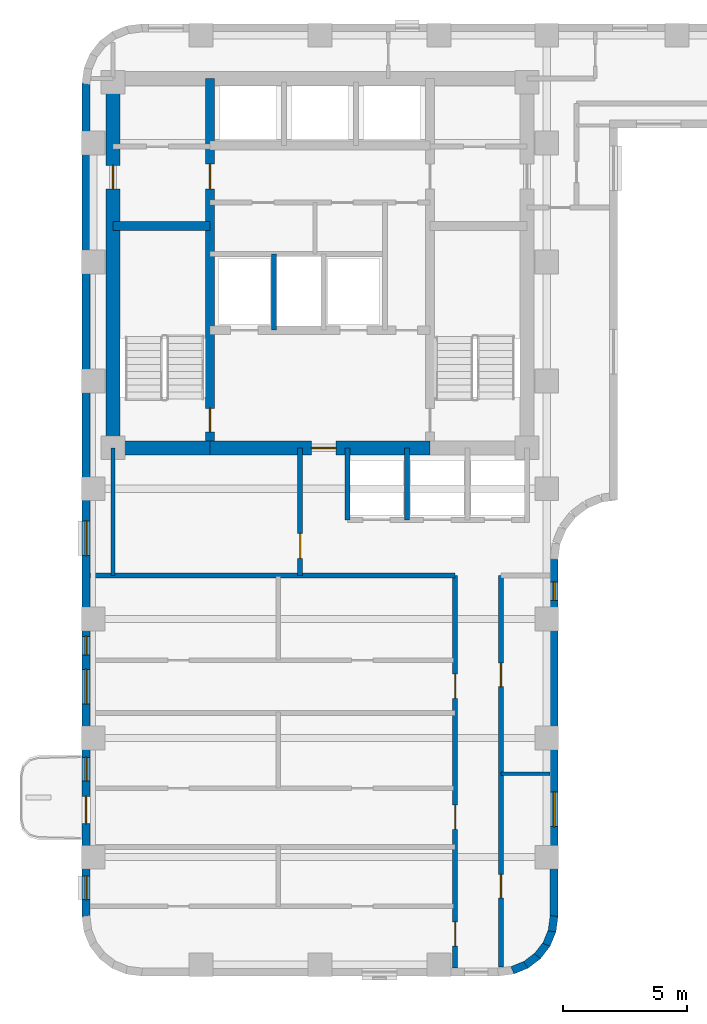
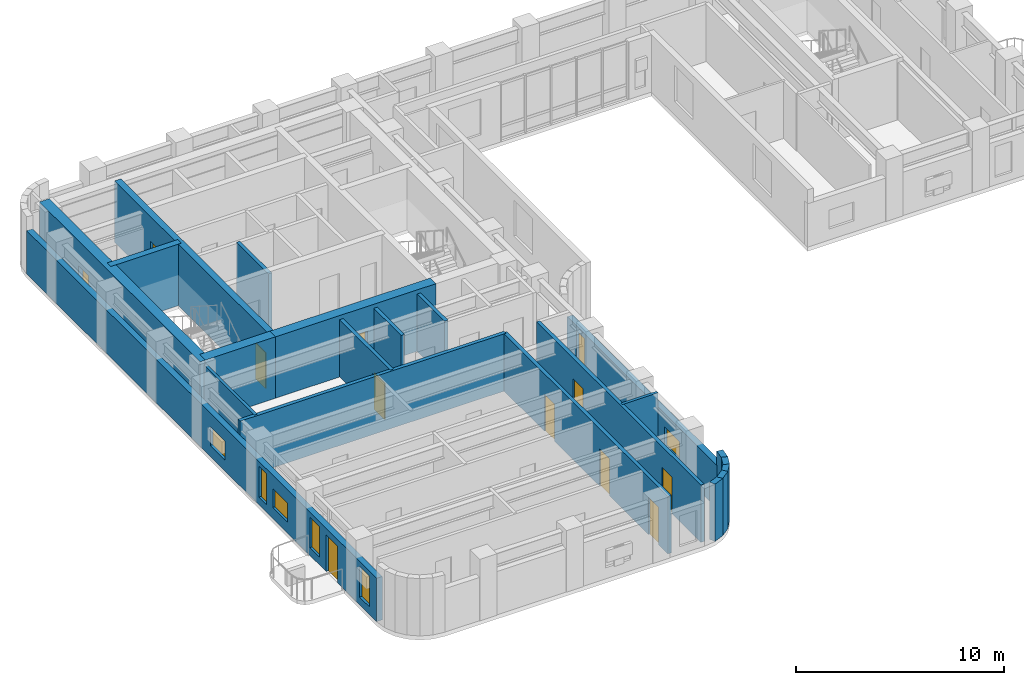
# One storey, part 4 of 11: 21 walls, 11 doors, 7 windows, 18 openings.
"""IFC4 building model written with IfcOpenShell, lengths in metres."""

from ifc_helpers import new_model, si_unit, direction, frame, frame_2d, origin, place, context, subcontext, project, spatial, rectangle, extrude, material, layer, layer_set, type_object, element, fill, save


model = new_model("IFC4")

# Units and contexts
model_context = context("Model", 3, precision=1e-05, world=origin(), true_north=direction((0.0, 1.0)))
body_context = subcontext(model_context, "Body", "Model", "MODEL_VIEW")
ifc_project = project(units=[si_unit("LENGTHUNIT", "METRE"), si_unit("AREAUNIT", "SQUARE_METRE"), si_unit("VOLUMEUNIT", "CUBIC_METRE"), si_unit("PLANEANGLEUNIT", "RADIAN"), si_unit("MASSUNIT", "GRAM", prefix="KILO")], contexts=[model_context])

# Site, building, storey
site_placement = place(None, origin())
site = spatial("IfcSite", under=ifc_project, at=site_placement, CompositionType="ELEMENT")
building_placement = place(site_placement, origin())
building = spatial("IfcBuilding", under=site, at=building_placement, Name="Orvandelia Arch Residences", CompositionType="ELEMENT")
storey_placement = place(building_placement, frame((0.0, 0.0, 157.60009765625)))
storey = spatial("IfcBuildingStorey", under=building, at=storey_placement, Name="L41", CompositionType="ELEMENT", Elevation=157.60009765625)

# Wall, openings, doors
ifc_material_1 = material(Name="Concrete C50/60", Category="concrete")
ifc_layer_1 = layer(ifc_material_1, 0.35009765625, Name="Concrete C50/60", Category="concrete")
ifc_layer_set_1 = layer_set([ifc_layer_1], Name="Concrete C50/60")
wall_type_1 = type_object("IfcWallType", Name="WL-CORE-350", PredefinedType="SHEAR", material=ifc_layer_set_1)
wall_1_placement = place(storey_placement, frame((9.9599609375, 30.89990234375, 0.0), z_axis=(0.0, 0.0, 1.0), x_axis=(0.0, 1.0, 0.0)))
wall_1 = element("IfcWall", 1, at=wall_1_placement, inside=storey, type_object=wall_type_1, Name="Core Shear Wall L41-WEB1", PredefinedType="SHEAR", context=body_context, shape_type="SweptSolid", body=[
    extrude(rectangle(XDim=14.900146484375, YDim=0.35009765625, at=frame_2d((7.4501953125, 0.0))), origin(), (0.0, 0.0, 1.0), 3.599853515625),
])
opening_1_placement = place(wall_1_placement, frame((0.64990234375, 0.0, 0.0)))
opening_1 = element("IfcOpeningElement", 2, at=opening_1_placement, cuts=wall_1, Name="Opening D7", PredefinedType="OPENING", context=body_context, shape_type="SweptSolid", body=[
    extrude(rectangle(XDim=0.949951171875, YDim=2.10009765625, at=frame_2d((0.47509765625, 1.050048828125))), frame((0.0, 0.18505859375, 0.0), z_axis=(0.0, -1.0, 0.0), x_axis=(1.0, 0.0, 0.0)), (0.0, 0.0, 1.0), 0.3701171875),
])
opening_2_placement = place(wall_1_placement, frame((10.449951171875, 0.0, 0.0)))
opening_2 = element("IfcOpeningElement", 3, at=opening_2_placement, cuts=wall_1, Name="Opening D6", PredefinedType="OPENING", context=body_context, shape_type="SweptSolid", body=[
    extrude(rectangle(XDim=1.0, YDim=2.14990234375, at=frame_2d((0.5, 1.074951171875))), frame((0.0, 0.18505859375, 0.0), z_axis=(0.0, -1.0, 0.0), x_axis=(1.0, 0.0, 0.0)), (0.0, 0.0, 1.0), 0.3701171875),
])
ifc_material_2 = material(Name="Smokeproof Painted Steel Fire Door", Category="steel")
door_type_1 = type_object("IfcDoorType", Name="DR-FD60-1000", OperationType="NOTDEFINED", PredefinedType="DOOR", material=ifc_material_2)
door_1_placement = place(opening_2_placement, origin())
door_1 = element("IfcDoor", 4, at=door_1_placement, inside=storey, type_object=door_type_1, Name="High-Rise Lift Hall West Vestibule Door L41", OperationType="SINGLE_SWING_LEFT", OverallHeight=2.14990234375, OverallWidth=1.0, PredefinedType="DOOR", context=body_context, shape_type="SweptSolid", body=[
    extrude(rectangle(XDim=1.0, YDim=2.14990234375, at=frame_2d((0.5, 1.074951171875))), frame((0.0, 0.02490234375, 0.0), z_axis=(0.0, -1.0, 0.0), x_axis=(1.0, 0.0, 0.0)), (0.0, 0.0, 1.0), 0.050048828125),
])
fill(opening_2, door_1)
ifc_material_3 = material(Name="Pressurised Stairwell Fire Door")
door_type_2 = type_object("IfcDoorType", Name="DR-STAIR-950", OperationType="NOTDEFINED", PredefinedType="DOOR", material=ifc_material_3)
door_2_placement = place(opening_1_placement, origin())
door_2 = element("IfcDoor", 5, at=door_2_placement, inside=storey, type_object=door_type_2, Name="Stairwell ST-1 Fire Door L41", OperationType="SINGLE_SWING_LEFT", OverallHeight=2.10009765625, OverallWidth=0.949951171875, PredefinedType="DOOR", context=body_context, shape_type="SweptSolid", body=[
    extrude(rectangle(XDim=0.949951171875, YDim=2.10009765625, at=frame_2d((0.47509765625, 1.050048828125))), frame((0.0, 0.02490234375, 0.0), z_axis=(0.0, -1.0, 0.0), x_axis=(1.0, 0.0, 0.0)), (0.0, 0.0, 1.0), 0.050048828125),
])
fill(opening_1, door_2)

# Wall
wall_2_placement = place(storey_placement, frame((6.050048828125, 39.85009765625, 0.0), z_axis=(0.0, 0.0, 1.0), x_axis=(1.0, 0.0, 0.0)))
element("IfcWall", 6, at=wall_2_placement, inside=storey, type_object=wall_type_1, Name="Core Shear Wall L41-HZ1", PredefinedType="SHEAR", context=body_context, shape_type="SweptSolid", body=[
    extrude(rectangle(XDim=3.909912109375, YDim=0.35009765625, at=frame_2d((1.955078125, 0.0))), origin(), (0.0, 0.0, 1.0), 3.599853515625),
])

# Wall, opening, door
ifc_material_4 = material(Name="Concrete C60/75", Category="concrete")
ifc_layer_2 = layer(ifc_material_4, 0.550048828125, Name="Concrete C60/75", Category="concrete")
ifc_layer_set_2 = layer_set([ifc_layer_2], Name="Concrete C60/75")
wall_type_2 = type_object("IfcWallType", Name="WL-CORE-550", PredefinedType="SHEAR", material=ifc_layer_set_2)
wall_3_placement = place(storey_placement, frame((6.050048828125, 30.625, 0.0), z_axis=(0.0, 0.0, 1.0), x_axis=(0.0, 1.0, 0.0)))
wall_3 = element("IfcWall", 7, at=wall_3_placement, inside=storey, type_object=wall_type_2, Name="Core Shear Wall L41-W", PredefinedType="SHEAR", context=body_context, shape_type="SweptSolid", body=[
    extrude(rectangle(XDim=15.449951171875, YDim=0.550048828125, at=frame_2d((7.72509765625, 0.0))), origin(), (0.0, 0.0, 1.0), 3.599853515625),
])
opening_3_placement = place(wall_3_placement, frame((10.72509765625, 0.0, 0.0)))
opening_3 = element("IfcOpeningElement", 8, at=opening_3_placement, cuts=wall_3, Name="Opening D2", PredefinedType="OPENING", context=body_context, shape_type="SweptSolid", body=[
    extrude(rectangle(XDim=0.949951171875, YDim=2.14990234375, at=frame_2d((0.47509765625, 1.074951171875))), frame((0.0, 0.28515625, 0.0), z_axis=(0.0, -1.0, 0.0), x_axis=(1.0, 0.0, 0.0)), (0.0, 0.0, 1.0), 0.570068359375),
])
ifc_material_5 = material(Name="Solid-Core Timber Interior Fire Door", Category="wood")
door_type_3 = type_object("IfcDoorType", Name="DR-APT-950", OperationType="NOTDEFINED", PredefinedType="DOOR", material=ifc_material_5)
door_3_placement = place(opening_3_placement, origin())
door_3 = element("IfcDoor", 9, at=door_3_placement, inside=storey, type_object=door_type_3, Name="West Viewing Study Door L41", OperationType="SINGLE_SWING_RIGHT", OverallHeight=2.14990234375, OverallWidth=0.949951171875, PredefinedType="DOOR", context=body_context, shape_type="SweptSolid", body=[
    extrude(rectangle(XDim=0.949951171875, YDim=2.14990234375, at=frame_2d((0.47509765625, 1.074951171875))), frame((0.0, 0.02490234375, 0.0), z_axis=(0.0, -1.0, 0.0), x_axis=(1.0, 0.0, 0.0)), (0.0, 0.0, 1.0), 0.050048828125),
])
fill(opening_3, door_3)

# Wall
wall_4_placement = place(storey_placement, frame((6.050048828125, 30.89990234375, 0.0), z_axis=(0.0, 0.0, 1.0), x_axis=(1.0, 0.0, 0.0)))
element("IfcWall", 10, at=wall_4_placement, inside=storey, type_object=wall_type_2, Name="Core Shear Wall L41-SW", PredefinedType="SHEAR", context=body_context, shape_type="SweptSolid", body=[
    extrude(rectangle(XDim=3.909912109375, YDim=0.550048828125, at=frame_2d((1.955078125, 0.0))), origin(), (0.0, 0.0, 1.0), 3.599853515625),
])

# Wall, opening, door
wall_5_placement = place(storey_placement, frame((9.9599609375, 30.89990234375, 0.0), z_axis=(0.0, 0.0, 1.0), x_axis=(1.0, 0.0, 0.0)))
wall_5 = element("IfcWall", 11, at=wall_5_placement, inside=storey, type_object=wall_type_2, Name="Core Shear Wall L41-SM", PredefinedType="SHEAR", context=body_context, shape_type="SweptSolid", body=[
    extrude(rectangle(XDim=8.880126953125, YDim=0.550048828125, at=frame_2d((4.43994140625, 0.0))), origin(), (0.0, 0.0, 1.0), 3.599853515625),
])
opening_4_placement = place(wall_5_placement, frame((4.090087890625, 0.0, 0.0)))
opening_4 = element("IfcOpeningElement", 12, at=opening_4_placement, cuts=wall_5, Name="Opening D6", PredefinedType="OPENING", context=body_context, shape_type="SweptSolid", body=[
    extrude(rectangle(XDim=1.0, YDim=2.14990234375, at=frame_2d((0.5, 1.074951171875))), frame((0.0, 0.28515625, 0.0), z_axis=(0.0, -1.0, 0.0), x_axis=(1.0, 0.0, 0.0)), (0.0, 0.0, 1.0), 0.570068359375),
])
door_4_placement = place(opening_4_placement, origin())
door_4 = element("IfcDoor", 13, at=door_4_placement, inside=storey, type_object=door_type_1, Name="Firefighting Lobby Smokeproof Door L41", OperationType="SINGLE_SWING_LEFT", OverallHeight=2.14990234375, OverallWidth=1.0, PredefinedType="DOOR", context=body_context, shape_type="SweptSolid", body=[
    extrude(rectangle(XDim=1.0, YDim=2.14990234375, at=frame_2d((0.5, 1.074951171875))), frame((0.0, 0.02490234375, 0.0), z_axis=(0.0, -1.0, 0.0), x_axis=(1.0, 0.0, 0.0)), (0.0, 0.0, 1.0), 0.050048828125),
])
fill(opening_4, door_4)

# Wall, openings, doors
ifc_material_6 = material(Name="Fire-Rated Corridor Partition")
ifc_layer_3 = layer(ifc_material_6, 0.199951171875, Name="Fire-Rated Corridor Partition")
ifc_layer_set_3 = layer_set([ifc_layer_3], Name="Fire-Rated Corridor Partition")
wall_type_3 = type_object("IfcWallType", Name="WL-CORR-200", PredefinedType="PARTITIONING", material=ifc_layer_set_3)
wall_6_placement = place(storey_placement, frame((19.85009765625, 9.919921875, 0.0), z_axis=(0.0, 0.0, 1.0), x_axis=(0.0, 1.0, 0.0)))
wall_6 = element("IfcWall", 14, at=wall_6_placement, inside=storey, type_object=wall_type_3, Name="Interior Partition Wall WL-L41-WC-W", PredefinedType="PARTITIONING", context=body_context, shape_type="SweptSolid", body=[
    extrude(rectangle(XDim=15.830078125, YDim=0.199951171875, at=frame_2d((7.9150390625, 0.0))), origin(), (0.0, 0.0, 1.0), 3.35986328125),
])
opening_5_placement = place(wall_6_placement, frame((0.885009765625, 0.0, 0.0)))
opening_5 = element("IfcOpeningElement", 15, at=opening_5_placement, cuts=wall_6, Name="Opening D1", PredefinedType="OPENING", context=body_context, shape_type="SweptSolid", body=[
    extrude(rectangle(XDim=0.97998046875, YDim=2.179931640625, at=frame_2d((0.489990234375, 1.08984375))), frame((0.0, 0.10986328125, 0.0), z_axis=(0.0, -1.0, 0.0), x_axis=(1.0, 0.0, 0.0)), (0.0, 0.0, 1.0), 0.219970703125),
])
opening_6_placement = place(wall_6_placement, frame((5.597900390625, 0.0, 0.0)))
opening_6 = element("IfcOpeningElement", 16, at=opening_6_placement, cuts=wall_6, Name="Opening D1", PredefinedType="OPENING", context=body_context, shape_type="SweptSolid", body=[
    extrude(rectangle(XDim=0.97998046875, YDim=2.179931640625, at=frame_2d((0.489990234375, 1.08984375))), frame((0.0, 0.10986328125, 0.0), z_axis=(0.0, -1.0, 0.0), x_axis=(1.0, 0.0, 0.0)), (0.0, 0.0, 1.0), 0.219970703125),
])
opening_7_placement = place(wall_6_placement, frame((10.8798828125, 0.0, 0.0)))
opening_7 = element("IfcOpeningElement", 17, at=opening_7_placement, cuts=wall_6, Name="Opening D1", PredefinedType="OPENING", context=body_context, shape_type="SweptSolid", body=[
    extrude(rectangle(XDim=0.97998046875, YDim=2.179931640625, at=frame_2d((0.489990234375, 1.08984375))), frame((0.0, 0.10986328125, 0.0), z_axis=(0.0, -1.0, 0.0), x_axis=(1.0, 0.0, 0.0)), (0.0, 0.0, 1.0), 0.219970703125),
])
ifc_material_7 = material(Name="Solid-Core Timber Acoustic Fire Door", Category="wood")
door_type_4 = type_object("IfcDoorType", Name="DR-ENT-980", OperationType="NOTDEFINED", PredefinedType="DOOR", material=ifc_material_7)
door_5_placement = place(opening_5_placement, origin())
door_5 = element("IfcDoor", 18, at=door_5_placement, inside=storey, type_object=door_type_4, Name="Unit L41-01 Entrance Door", OperationType="SINGLE_SWING_LEFT", OverallHeight=2.179931640625, OverallWidth=0.97998046875, PredefinedType="DOOR", context=body_context, shape_type="SweptSolid", body=[
    extrude(rectangle(XDim=0.97998046875, YDim=2.179931640625, at=frame_2d((0.489990234375, 1.08984375))), frame((0.0, 0.02490234375, 0.0), z_axis=(0.0, -1.0, 0.0), x_axis=(1.0, 0.0, 0.0)), (0.0, 0.0, 1.0), 0.050048828125),
])
fill(opening_5, door_5)
door_6_placement = place(opening_6_placement, origin())
door_6 = element("IfcDoor", 19, at=door_6_placement, inside=storey, type_object=door_type_4, Name="Unit L41-02 Entrance Door", OperationType="SINGLE_SWING_RIGHT", OverallHeight=2.179931640625, OverallWidth=0.97998046875, PredefinedType="DOOR", context=body_context, shape_type="SweptSolid", body=[
    extrude(rectangle(XDim=0.97998046875, YDim=2.179931640625, at=frame_2d((0.489990234375, 1.08984375))), frame((0.0, 0.02490234375, 0.0), z_axis=(0.0, -1.0, 0.0), x_axis=(1.0, 0.0, 0.0)), (0.0, 0.0, 1.0), 0.050048828125),
])
fill(opening_6, door_6)
door_7_placement = place(opening_7_placement, origin())
door_7 = element("IfcDoor", 20, at=door_7_placement, inside=storey, type_object=door_type_4, Name="Unit L41-03 Entrance Door", OperationType="SINGLE_SWING_LEFT", OverallHeight=2.179931640625, OverallWidth=0.97998046875, PredefinedType="DOOR", context=body_context, shape_type="SweptSolid", body=[
    extrude(rectangle(XDim=0.97998046875, YDim=2.179931640625, at=frame_2d((0.489990234375, 1.08984375))), frame((0.0, 0.02490234375, 0.0), z_axis=(0.0, -1.0, 0.0), x_axis=(1.0, 0.0, 0.0)), (0.0, 0.0, 1.0), 0.050048828125),
])
fill(opening_7, door_7)

wall_7_placement = place(storey_placement, frame((21.699951171875, 9.9599609375, 0.0), z_axis=(0.0, 0.0, 1.0), x_axis=(0.0, 1.0, 0.0)))
wall_7 = element("IfcWall", 21, at=wall_7_placement, inside=storey, type_object=wall_type_3, Name="Interior Partition Wall WL-L41-WC-E", PredefinedType="PARTITIONING", context=body_context, shape_type="SweptSolid", body=[
    extrude(rectangle(XDim=15.7900390625, YDim=0.199951171875, at=frame_2d((7.89501953125, 0.0))), origin(), (0.0, 0.0, 1.0), 3.35986328125),
])
opening_8_placement = place(wall_7_placement, frame((2.7900390625, 0.0, 0.0)))
opening_8 = element("IfcOpeningElement", 22, at=opening_8_placement, cuts=wall_7, Name="Opening D2", PredefinedType="OPENING", context=body_context, shape_type="SweptSolid", body=[
    extrude(rectangle(XDim=0.949951171875, YDim=2.14990234375, at=frame_2d((0.47509765625, 1.074951171875))), frame((0.0, 0.10986328125, 0.0), z_axis=(0.0, -1.0, 0.0), x_axis=(1.0, 0.0, 0.0)), (0.0, 0.0, 1.0), 0.219970703125),
])
opening_9_placement = place(wall_7_placement, frame((11.31005859375, 0.0, 0.0)))
opening_9 = element("IfcOpeningElement", 23, at=opening_9_placement, cuts=wall_7, Name="Opening D2", PredefinedType="OPENING", context=body_context, shape_type="SweptSolid", body=[
    extrude(rectangle(XDim=0.949951171875, YDim=2.14990234375, at=frame_2d((0.47509765625, 1.074951171875))), frame((0.0, 0.10986328125, 0.0), z_axis=(0.0, -1.0, 0.0), x_axis=(1.0, 0.0, 0.0)), (0.0, 0.0, 1.0), 0.219970703125),
])
door_8_placement = place(opening_8_placement, origin())
door_8 = element("IfcDoor", 24, at=door_8_placement, inside=storey, type_object=door_type_3, Name="DR-L41-EGALV1", OperationType="SINGLE_SWING_LEFT", OverallHeight=2.14990234375, OverallWidth=0.949951171875, PredefinedType="DOOR", context=body_context, shape_type="SweptSolid", body=[
    extrude(rectangle(XDim=0.949951171875, YDim=2.14990234375, at=frame_2d((0.47509765625, 1.074951171875))), frame((0.0, 0.02490234375, 0.0), z_axis=(0.0, -1.0, 0.0), x_axis=(1.0, 0.0, 0.0)), (0.0, 0.0, 1.0), 0.050048828125),
])
fill(opening_8, door_8)
door_9_placement = place(opening_9_placement, origin())
door_9 = element("IfcDoor", 25, at=door_9_placement, inside=storey, type_object=door_type_3, Name="DR-L41-EGLDY1", OperationType="SINGLE_SWING_RIGHT", OverallHeight=2.14990234375, OverallWidth=0.949951171875, PredefinedType="DOOR", context=body_context, shape_type="SweptSolid", body=[
    extrude(rectangle(XDim=0.949951171875, YDim=2.14990234375, at=frame_2d((0.47509765625, 1.074951171875))), frame((0.0, 0.02490234375, 0.0), z_axis=(0.0, -1.0, 0.0), x_axis=(1.0, 0.0, 0.0)), (0.0, 0.0, 1.0), 0.050048828125),
])
fill(opening_9, door_9)

# Wall
wall_8_placement = place(storey_placement, frame((5.1201171875, 25.75, 0.0), z_axis=(0.0, 0.0, 1.0), x_axis=(1.0, 0.0, 0.0)))
element("IfcWall", 26, at=wall_8_placement, inside=storey, type_object=wall_type_3, Name="Interior Partition Wall WL-L41-WCLS-W", PredefinedType="PARTITIONING", context=body_context, shape_type="SweptSolid", body=[
    extrude(rectangle(XDim=14.72998046875, YDim=0.199951171875, at=frame_2d((7.364990234375, 0.0))), origin(), (0.0, 0.0, 1.0), 3.35986328125),
])

# Wall, openings, windows
ifc_material_8 = material(Name="Precast concrete C40/50", Category="concrete")
ifc_layer_4 = layer(ifc_material_8, 0.320068359375, Name="Precast concrete C40/50", Category="concrete")
ifc_layer_set_4 = layer_set([ifc_layer_4], Name="Precast concrete C40/50")
wall_type_4 = type_object("IfcWallType", Name="WL-EXT-STONE-320", PredefinedType="STANDARD", material=ifc_layer_set_4)
wall_9_placement = place(storey_placement, frame((23.840087890625, 26.39990234375, 0.0), z_axis=(0.0, 0.0, 1.0), x_axis=(0.0, -1.0, 0.0)))
wall_9 = element("IfcWall", 27, at=wall_9_placement, inside=storey, type_object=wall_type_4, Name="Coral-Limestone Precast Facade Wall L41-032", PredefinedType="STANDARD", context=body_context, shape_type="SweptSolid", body=[
    extrude(rectangle(XDim=14.39990234375, YDim=0.320068359375, at=frame_2d((7.199951171875, 0.0))), origin(), (0.0, 0.0, 1.0), 2.539794921875),
])
opening_10_placement = place(wall_9_placement, frame((9.37255859375, 0.0, 0.64990234375)))
opening_10 = element("IfcOpeningElement", 28, at=opening_10_placement, cuts=wall_9, Name="Opening W10", PredefinedType="OPENING", context=body_context, shape_type="SweptSolid", body=[
    extrude(rectangle(XDim=1.39990234375, YDim=1.10009765625, at=frame_2d((0.699951171875, 0.550048828125))), frame((0.0, 0.169921875, 0.0), z_axis=(0.0, -1.0, 0.0), x_axis=(1.0, 0.0, 0.0)), (0.0, 0.0, 1.0), 0.340087890625),
])
opening_11_placement = place(wall_9_placement, frame((0.902587890625, 0.0, 0.449951171875)))
opening_11 = element("IfcOpeningElement", 29, at=opening_11_placement, cuts=wall_9, Name="Opening W11", PredefinedType="OPENING", context=body_context, shape_type="SweptSolid", body=[
    extrude(rectangle(XDim=0.75, YDim=1.800048828125, at=frame_2d((0.375, 0.89990234375))), frame((0.0, 0.169921875, 0.0), z_axis=(0.0, -1.0, 0.0), x_axis=(1.0, 0.0, 0.0)), (0.0, 0.0, 1.0), 0.340087890625),
])
ifc_material_9 = material(Name="Tempered Low-E Insulated Glazing", Category="glass")
window_type_1 = type_object("IfcWindowType", Name="WIN-BED-0750x1800", PartitioningType="SINGLE_PANEL", PredefinedType="WINDOW", material=ifc_material_9)
window_1_placement = place(opening_11_placement, origin())
window_1 = element("IfcWindow", 30, at=window_1_placement, inside=storey, type_object=window_type_1, Name="Recessed Punched Window L41-017", OverallHeight=1.800048828125, OverallWidth=0.75, PartitioningType="SINGLE_PANEL", PredefinedType="WINDOW", context=body_context, shape_type="SweptSolid", body=[
    extrude(rectangle(XDim=0.75, YDim=1.800048828125, at=frame_2d((0.375, 0.89990234375))), frame((0.0, 0.030029296875, 0.0), z_axis=(0.0, -1.0, 0.0), x_axis=(1.0, 0.0, 0.0)), (0.0, 0.0, 1.0), 0.06005859375),
])
fill(opening_11, window_1)
window_type_2 = type_object("IfcWindowType", Name="WIN-CLR-1400x1100", PartitioningType="SINGLE_PANEL", PredefinedType="WINDOW", material=ifc_material_9)
window_2_placement = place(opening_10_placement, origin())
window_2 = element("IfcWindow", 31, at=window_2_placement, inside=storey, type_object=window_type_2, Name="Recessed Punched Window L41-016", OverallHeight=1.10009765625, OverallWidth=1.39990234375, PartitioningType="SINGLE_PANEL", PredefinedType="WINDOW", context=body_context, shape_type="SweptSolid", body=[
    extrude(rectangle(XDim=1.39990234375, YDim=1.10009765625, at=frame_2d((0.699951171875, 0.550048828125))), frame((0.0, 0.030029296875, 0.0), z_axis=(0.0, -1.0, 0.0), x_axis=(1.0, 0.0, 0.0)), (0.0, 0.0, 1.0), 0.06005859375),
])
fill(opening_10, window_2)

# Walls
wall_10_placement = place(storey_placement, frame((23.84130859375, 12.02099609375, 0.0), z_axis=(0.0, 0.0, 1.0), x_axis=(-0.130504898859, -0.991447664465, 0.0)))
element("IfcWall", 32, at=wall_10_placement, inside=storey, type_object=wall_type_4, Name="Coral-Limestone Precast Facade Wall L41-033", PredefinedType="STANDARD", context=body_context, shape_type="SweptSolid", body=[
    extrude(rectangle(XDim=0.626708984375, YDim=0.320068359375, at=frame_2d((0.3134765625, 0.0))), origin(), (0.0, 0.0, 1.0), 3.35986328125),
])
for number, where, z_axis, x_axis, name in (
    (33, (23.7705078125, 11.43994140625, 0.0), (0.0, 0.0, 1.0), (-0.382650053678, -0.92389335771, 0.0), "Coral-Limestone Precast Facade Wall L41-034"),
    (34, (23.551513671875, 10.8974609375, 0.0), (0.0, 0.0, 1.0), (-0.608693302629, -0.793405610854, 0.0), "Coral-Limestone Precast Facade Wall L41-035"),
    (35, (23.19970703125, 10.4296875, 0.0), (0.0, 0.0, 1.0), (-0.793405610854, -0.608693302629, 0.0), "Coral-Limestone Precast Facade Wall L41-036"),
    (36, (22.73876953125, 10.0693359375, 0.0), (0.0, 0.0, 1.0), (-0.92389335771, -0.382650053678, 0.0), "Coral-Limestone Precast Facade Wall L41-037"),
):
    element("IfcWall", number, at=place(storey_placement, frame(where, z_axis=z_axis, x_axis=x_axis)), inside=storey, type_object=wall_type_4, Name=name, PredefinedType="STANDARD", context=body_context, shape_type="SweptSolid", body=[
        extrude(rectangle(XDim=0.62646484375, YDim=0.320068359375, at=frame_2d((0.313232421875, 0.0))), origin(), (0.0, 0.0, 1.0), 3.35986328125),
    ])

# Wall, openings, door, windows
wall_11_placement = place(storey_placement, frame((4.9599609375, 12.0, 0.0), z_axis=(0.0, 0.0, 1.0), x_axis=(0.0, 1.0, 0.0)))
wall_11 = element("IfcWall", 37, at=wall_11_placement, inside=storey, type_object=wall_type_4, Name="Coral-Limestone Precast Facade Wall L41-046", PredefinedType="STANDARD", context=body_context, shape_type="SweptSolid", body=[
    extrude(rectangle(XDim=33.60009765625, YDim=0.320068359375, at=frame_2d((16.800048828125, 0.0))), origin(), (0.0, 0.0, 1.0), 2.539794921875),
])
opening_12_placement = place(wall_11_placement, frame((3.75, 0.0, 0.0)))
opening_12 = element("IfcOpeningElement", 38, at=opening_12_placement, cuts=wall_11, Name="Opening BD1", PredefinedType="OPENING", context=body_context, shape_type="SweptSolid", body=[
    extrude(rectangle(XDim=1.10009765625, YDim=2.14990234375, at=frame_2d((0.550048828125, 1.074951171875))), frame((0.0, 0.169921875, 0.0), z_axis=(0.0, -1.0, 0.0), x_axis=(1.0, 0.0, 0.0)), (0.0, 0.0, 1.0), 0.340087890625),
])
opening_13_placement = place(wall_11_placement, frame((8.570068359375, 0.0, 0.64990234375)))
opening_13 = element("IfcOpeningElement", 39, at=opening_13_placement, cuts=wall_11, Name="Opening W10", PredefinedType="OPENING", context=body_context, shape_type="SweptSolid", body=[
    extrude(rectangle(XDim=1.39990234375, YDim=1.10009765625, at=frame_2d((0.699951171875, 0.550048828125))), frame((0.0, 0.169921875, 0.0), z_axis=(0.0, -1.0, 0.0), x_axis=(1.0, 0.0, 0.0)), (0.0, 0.0, 1.0), 0.340087890625),
])
opening_14_placement = place(wall_11_placement, frame((0.6826171875, 0.0, 0.449951171875)))
opening_14 = element("IfcOpeningElement", 40, at=opening_14_placement, cuts=wall_11, Name="Opening W4", PredefinedType="OPENING", context=body_context, shape_type="SweptSolid", body=[
    extrude(rectangle(XDim=0.949951171875, YDim=1.800048828125, at=frame_2d((0.47509765625, 0.89990234375))), frame((0.0, 0.169921875, 0.0), z_axis=(0.0, -1.0, 0.0), x_axis=(1.0, 0.0, 0.0)), (0.0, 0.0, 1.0), 0.340087890625),
])
opening_15_placement = place(wall_11_placement, frame((5.465576171875, 0.0, 0.449951171875)))
opening_15 = element("IfcOpeningElement", 41, at=opening_15_placement, cuts=wall_11, Name="Opening W4", PredefinedType="OPENING", context=body_context, shape_type="SweptSolid", body=[
    extrude(rectangle(XDim=0.949951171875, YDim=1.800048828125, at=frame_2d((0.47509765625, 0.89990234375))), frame((0.0, 0.169921875, 0.0), z_axis=(0.0, -1.0, 0.0), x_axis=(1.0, 0.0, 0.0)), (0.0, 0.0, 1.0), 0.340087890625),
])
opening_16_placement = place(wall_11_placement, frame((10.547607421875, 0.0, 0.449951171875)))
opening_16 = element("IfcOpeningElement", 42, at=opening_16_placement, cuts=wall_11, Name="Opening W11", PredefinedType="OPENING", context=body_context, shape_type="SweptSolid", body=[
    extrude(rectangle(XDim=0.75, YDim=1.800048828125, at=frame_2d((0.375, 0.89990234375))), frame((0.0, 0.169921875, 0.0), z_axis=(0.0, -1.0, 0.0), x_axis=(1.0, 0.0, 0.0)), (0.0, 0.0, 1.0), 0.340087890625),
])
opening_17_placement = place(wall_11_placement, frame((14.5576171875, 0.0, 0.64990234375)))
opening_17 = element("IfcOpeningElement", 43, at=opening_17_placement, cuts=wall_11, Name="Opening W10", PredefinedType="OPENING", context=body_context, shape_type="SweptSolid", body=[
    extrude(rectangle(XDim=1.39990234375, YDim=1.10009765625, at=frame_2d((0.699951171875, 0.550048828125))), frame((0.0, 0.169921875, 0.0), z_axis=(0.0, -1.0, 0.0), x_axis=(1.0, 0.0, 0.0)), (0.0, 0.0, 1.0), 0.340087890625),
])
ifc_material_10 = material(Name="Thermally Broken Aluminium Glazed Door", Category="aluminium")
door_type_5 = type_object("IfcDoorType", Name="DR-BAL-GLAZ-1100", OperationType="NOTDEFINED", PredefinedType="DOOR", material=ifc_material_10)
door_10_placement = place(opening_12_placement, origin())
door_10 = element("IfcDoor", 44, at=door_10_placement, inside=storey, type_object=door_type_5, Name="Tree Balcony Glazed Door BAL-L41-W1", OperationType="SINGLE_SWING_RIGHT", OverallHeight=2.14990234375, OverallWidth=1.10009765625, PredefinedType="DOOR", context=body_context, shape_type="SweptSolid", body=[
    extrude(rectangle(XDim=1.10009765625, YDim=2.14990234375, at=frame_2d((0.550048828125, 1.074951171875))), frame((0.0, 0.02490234375, 0.0), z_axis=(0.0, -1.0, 0.0), x_axis=(1.0, 0.0, 0.0)), (0.0, 0.0, 1.0), 0.050048828125),
])
fill(opening_12, door_10)
window_3_placement = place(opening_16_placement, origin())
window_3 = element("IfcWindow", 45, at=window_3_placement, inside=storey, type_object=window_type_1, Name="Recessed Punched Window L41-023", OverallHeight=1.800048828125, OverallWidth=0.75, PartitioningType="SINGLE_PANEL", PredefinedType="WINDOW", context=body_context, shape_type="SweptSolid", body=[
    extrude(rectangle(XDim=0.75, YDim=1.800048828125, at=frame_2d((0.375, 0.89990234375))), frame((0.0, 0.030029296875, 0.0), z_axis=(0.0, -1.0, 0.0), x_axis=(1.0, 0.0, 0.0)), (0.0, 0.0, 1.0), 0.06005859375),
])
fill(opening_16, window_3)
window_4_placement = place(opening_13_placement, origin())
window_4 = element("IfcWindow", 46, at=window_4_placement, inside=storey, type_object=window_type_2, Name="Recessed Punched Window L41-020", OverallHeight=1.10009765625, OverallWidth=1.39990234375, PartitioningType="SINGLE_PANEL", PredefinedType="WINDOW", context=body_context, shape_type="SweptSolid", body=[
    extrude(rectangle(XDim=1.39990234375, YDim=1.10009765625, at=frame_2d((0.699951171875, 0.550048828125))), frame((0.0, 0.030029296875, 0.0), z_axis=(0.0, -1.0, 0.0), x_axis=(1.0, 0.0, 0.0)), (0.0, 0.0, 1.0), 0.06005859375),
])
fill(opening_13, window_4)
window_5_placement = place(opening_17_placement, origin())
window_5 = element("IfcWindow", 47, at=window_5_placement, inside=storey, type_object=window_type_2, Name="Recessed Punched Window L41-024", OverallHeight=1.10009765625, OverallWidth=1.39990234375, PartitioningType="SINGLE_PANEL", PredefinedType="WINDOW", context=body_context, shape_type="SweptSolid", body=[
    extrude(rectangle(XDim=1.39990234375, YDim=1.10009765625, at=frame_2d((0.699951171875, 0.550048828125))), frame((0.0, 0.030029296875, 0.0), z_axis=(0.0, -1.0, 0.0), x_axis=(1.0, 0.0, 0.0)), (0.0, 0.0, 1.0), 0.06005859375),
])
fill(opening_17, window_5)
window_type_3 = type_object("IfcWindowType", Name="WIN-RES-0950x1800", PartitioningType="SINGLE_PANEL", PredefinedType="WINDOW", material=ifc_material_9)
window_6_placement = place(opening_14_placement, origin())
window_6 = element("IfcWindow", 48, at=window_6_placement, inside=storey, type_object=window_type_3, Name="Recessed Punched Window L41-021", OverallHeight=1.800048828125, OverallWidth=0.949951171875, PartitioningType="SINGLE_PANEL", PredefinedType="WINDOW", context=body_context, shape_type="SweptSolid", body=[
    extrude(rectangle(XDim=0.949951171875, YDim=1.800048828125, at=frame_2d((0.47509765625, 0.89990234375))), frame((0.0, 0.030029296875, 0.0), z_axis=(0.0, -1.0, 0.0), x_axis=(1.0, 0.0, 0.0)), (0.0, 0.0, 1.0), 0.06005859375),
])
fill(opening_14, window_6)
window_7_placement = place(opening_15_placement, origin())
window_7 = element("IfcWindow", 49, at=window_7_placement, inside=storey, type_object=window_type_3, Name="Recessed Punched Window L41-022", OverallHeight=1.800048828125, OverallWidth=0.949951171875, PartitioningType="SINGLE_PANEL", PredefinedType="WINDOW", context=body_context, shape_type="SweptSolid", body=[
    extrude(rectangle(XDim=0.949951171875, YDim=1.800048828125, at=frame_2d((0.47509765625, 0.89990234375))), frame((0.0, 0.030029296875, 0.0), z_axis=(0.0, -1.0, 0.0), x_axis=(1.0, 0.0, 0.0)), (0.0, 0.0, 1.0), 0.06005859375),
])
fill(opening_15, window_7)

# Walls
ifc_material_11 = material(Name="Acoustic Gypsum Stud Partition")
ifc_layer_5 = layer(ifc_material_11, 0.14990234375, Name="Acoustic Gypsum Stud Partition")
ifc_layer_set_5 = layer_set([ifc_layer_5], Name="Acoustic Gypsum Stud Partition")
wall_type_5 = type_object("IfcWallType", Name="WL-PART-150", PredefinedType="PARTITIONING", material=ifc_layer_set_5)
wall_12_placement = place(storey_placement, frame((6.050048828125, 25.75, 0.0), z_axis=(0.0, 0.0, 1.0), x_axis=(0.0, 1.0, 0.0)))
element("IfcWall", 50, at=wall_12_placement, inside=storey, type_object=wall_type_5, Name="Interior Partition Wall WL-L41-B1REUSE-W", PredefinedType="PARTITIONING", context=body_context, shape_type="SweptSolid", body=[
    extrude(rectangle(XDim=5.14990234375, YDim=0.14990234375, at=frame_2d((2.574951171875, 0.0))), origin(), (0.0, 0.0, 1.0), 3.35986328125),
])
wall_13_placement = place(storey_placement, frame((21.699951171875, 17.760009765625, 0.0), z_axis=(0.0, 0.0, 1.0), x_axis=(1.0, 0.0, 0.0)))
element("IfcWall", 51, at=wall_13_placement, inside=storey, type_object=wall_type_5, Name="Interior Partition Wall WL-L41-EGDIV-1", PredefinedType="PARTITIONING", context=body_context, shape_type="SweptSolid", body=[
    extrude(rectangle(XDim=1.97998046875, YDim=0.14990234375, at=frame_2d((0.989990234375, 0.0))), origin(), (0.0, 0.0, 1.0), 3.35986328125),
])
ifc_material_12 = material(Name="Fire-Rated Shaft Enclosure Wall")
ifc_layer_6 = layer(ifc_material_12, 0.199951171875, Name="Fire-Rated Shaft Enclosure Wall")
ifc_layer_set_6 = layer_set([ifc_layer_6], Name="Fire-Rated Shaft Enclosure Wall")
wall_type_6 = type_object("IfcWallType", Name="WL-SHAFT-200", PredefinedType="POLYGONAL", material=ifc_layer_set_6)
wall_14_placement = place(storey_placement, frame((12.550048828125, 35.64990234375, 0.0), z_axis=(0.0, 0.0, 1.0), x_axis=(0.0, 1.0, 0.0)))
element("IfcWall", 52, at=wall_14_placement, inside=storey, type_object=wall_type_6, Name="Interior Partition Wall WL-L41-FLM1", PredefinedType="POLYGONAL", context=body_context, shape_type="SweptSolid", body=[
    extrude(rectangle(XDim=3.070068359375, YDim=0.199951171875, at=frame_2d((1.53515625, 0.0))), origin(), (0.0, 0.0, 1.0), 3.35986328125),
])

# Wall, opening, door
wall_15_placement = place(storey_placement, frame((13.60009765625, 25.75, 0.0), z_axis=(0.0, 0.0, 1.0), x_axis=(0.0, 1.0, 0.0)))
wall_15 = element("IfcWall", 53, at=wall_15_placement, inside=storey, type_object=wall_type_6, Name="Interior Partition Wall WL-L41-B1REUSE-E", PredefinedType="POLYGONAL", context=body_context, shape_type="SweptSolid", body=[
    extrude(rectangle(XDim=5.14990234375, YDim=0.199951171875, at=frame_2d((2.574951171875, 0.0))), origin(), (0.0, 0.0, 1.0), 3.35986328125),
])
opening_18_placement = place(wall_15_placement, frame((0.699951171875, 0.0, 0.0)))
opening_18 = element("IfcOpeningElement", 54, at=opening_18_placement, cuts=wall_15, Name="Opening D6", PredefinedType="OPENING", context=body_context, shape_type="SweptSolid", body=[
    extrude(rectangle(XDim=1.0, YDim=2.14990234375, at=frame_2d((0.5, 1.074951171875))), frame((0.0, 0.10986328125, 0.0), z_axis=(0.0, -1.0, 0.0), x_axis=(1.0, 0.0, 0.0)), (0.0, 0.0, 1.0), 0.219970703125),
])
door_11_placement = place(opening_18_placement, origin())
door_11 = element("IfcDoor", 55, at=door_11_placement, inside=storey, type_object=door_type_1, Name="DR-L41-B1REUSE", OperationType="SINGLE_SWING_LEFT", OverallHeight=2.14990234375, OverallWidth=1.0, PredefinedType="DOOR", context=body_context, shape_type="SweptSolid", body=[
    extrude(rectangle(XDim=1.0, YDim=2.14990234375, at=frame_2d((0.5, 1.074951171875))), frame((0.0, 0.02490234375, 0.0), z_axis=(0.0, -1.0, 0.0), x_axis=(1.0, 0.0, 0.0)), (0.0, 0.0, 1.0), 0.050048828125),
])
fill(opening_18, door_11)

# Walls
for number, where, z_axis, x_axis, name in (
    (56, (15.5, 28.0, 0.0), (0.0, 0.0, 1.0), (0.0, 1.0, 0.0), "Interior Partition Wall WL-L41-BNKM-W"),
    (57, (17.89990234375, 28.0, 0.0), (0.0, 0.0, 1.0), (0.0, 1.0, 0.0), "Interior Partition Wall WL-L41-BNKMD-1789"),
):
    element("IfcWall", number, at=place(storey_placement, frame(where, z_axis=z_axis, x_axis=x_axis)), inside=storey, type_object=wall_type_6, Name=name, PredefinedType="POLYGONAL", context=body_context, shape_type="SweptSolid", body=[
        extrude(rectangle(XDim=2.89990234375, YDim=0.199951171875, at=frame_2d((1.449951171875, 0.0))), origin(), (0.0, 0.0, 1.0), 3.35986328125),
    ])

save(model, "model.ifc")
